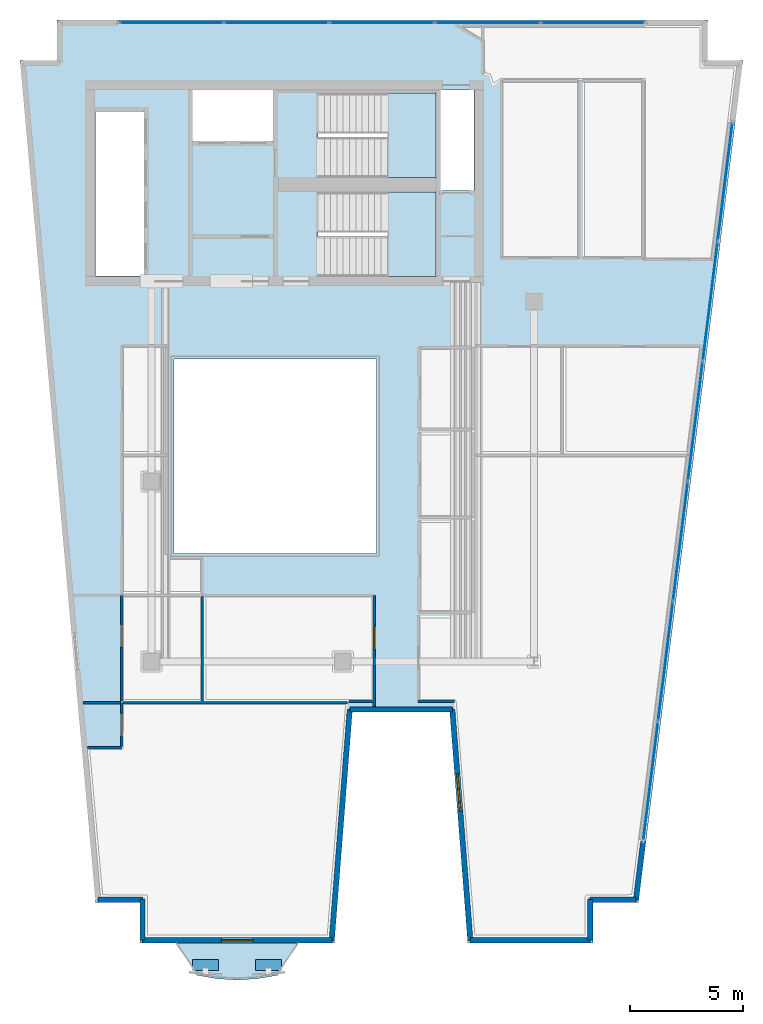
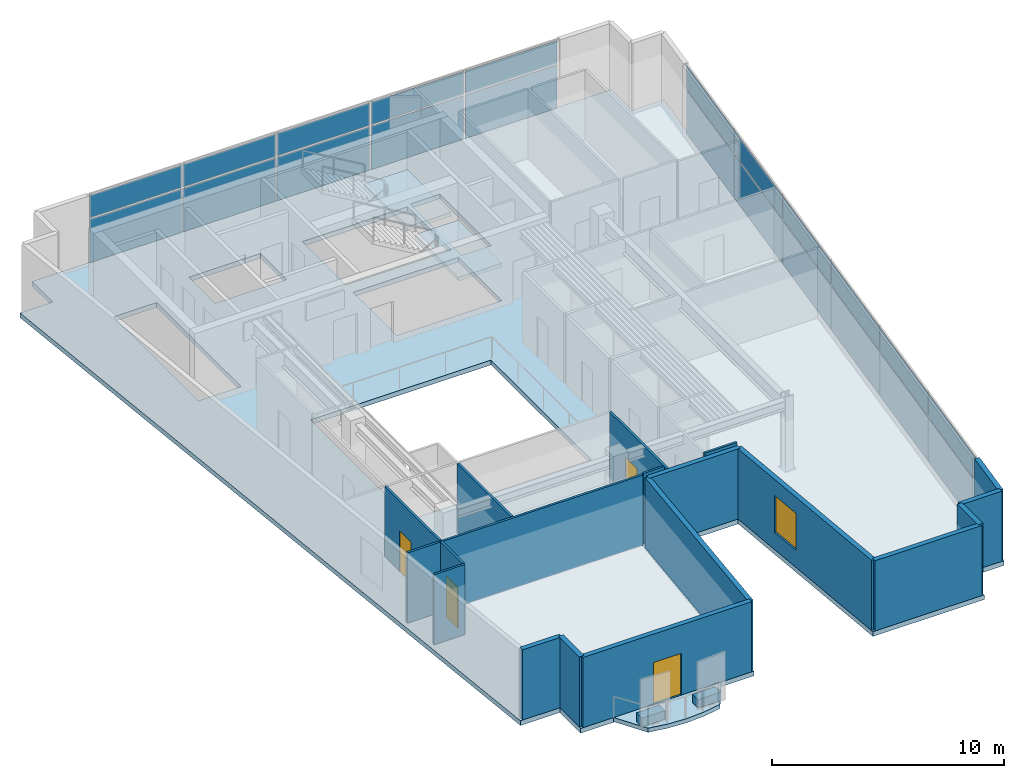
# One storey, part 3 of 8: 24 plates, 19 walls, 4 doors, 4 slabs, 1 window, 5 openings, 4 elements without a shape of their own.
"""IFC4 building model written with IfcOpenShell, lengths in metres."""

from ifc_helpers import new_model, si_unit, direction, frame, frame_2d, origin, origin_2d, place, context, subcontext, project, spatial, polyline, rectangle, outline, extrude, material, layer, layer_set, type_object, element, fill, aggregate, save


model = new_model("IFC4")

# Units and contexts
model_context = context("Model", 3, precision=1e-05, world=origin(), true_north=direction((0.0, 1.0)))
body_context = subcontext(model_context, "Body", "Model", "MODEL_VIEW")
ifc_project = project(units=[si_unit("LENGTHUNIT", "METRE"), si_unit("AREAUNIT", "SQUARE_METRE"), si_unit("VOLUMEUNIT", "CUBIC_METRE"), si_unit("PLANEANGLEUNIT", "RADIAN"), si_unit("MASSUNIT", "GRAM", prefix="KILO")], contexts=[model_context])

# Site, building, storey
site_placement = place(None, origin())
site = spatial("IfcSite", under=ifc_project, at=site_placement, CompositionType="ELEMENT")
building_placement = place(site_placement, origin())
building = spatial("IfcBuilding", under=site, at=building_placement, Name="Caeloran Harvest Quay", CompositionType="ELEMENT")
storey_placement = place(building_placement, frame((0.0, 0.0, 272.5)))
storey = spatial("IfcBuildingStorey", under=building, at=storey_placement, Name="L65", CompositionType="ELEMENT", Elevation=272.5)

# Slab
ifc_material_1 = material(Name="Concrete C50/60", Category="concrete")
ifc_layer_1 = layer(ifc_material_1, 0.219970703125, Name="Concrete C50/60")
ifc_layer_set_1 = layer_set([ifc_layer_1], Name="Concrete C50/60")
slab_type_1 = type_object("IfcSlabType", Name="BALCONY-BL-220", PredefinedType="FLOOR", material=ifc_layer_set_1)
slab_1_placement = place(storey_placement, frame((0.0, 0.0, -0.219970703125)))
element("IfcSlab", 1, at=slab_1_placement, inside=storey, type_object=slab_type_1, Name="L65 Scalloped Cantilevered Planted Balcony Slab", PredefinedType="FLOOR", context=body_context, shape_type="SweptSolid", body=[
    extrude(outline(polyline([(14.103515625, 1.060546875), (13.20654296875, 0.906982421875), (12.3095703125, 0.85107421875), (11.41259765625, 0.906982421875), (10.515380859375, 1.060546875), (9.630859375, 2.5), (14.98828125, 2.5), (14.103515625, 1.060546875)])), origin(), (0.0, 0.0, 1.0), 0.219970703125),
])

# Curtain wall, plates
ifc_material_2 = material(Name="Aluminium 6063-T6 and Low-E Glazing", Category="aluminium")
ifc_layer_2 = layer(ifc_material_2, 0.219970703125, Name="Aluminium 6063-T6 and Low-E Glazing")
ifc_layer_set_2 = layer_set([ifc_layer_2], Name="Aluminium 6063-T6 and Low-E Glazing")
curtain_wall_type = type_object("IfcCurtainWallType", Name="CW-SYS-CW-5", PredefinedType="USERDEFINED", material=ifc_layer_set_2)
curtain_wall_1_placement = place(storey_placement, origin())
curtain_wall_1 = element("IfcCurtainWall", 2, at=curtain_wall_1_placement, inside=storey, type_object=curtain_wall_type, Name="L65 Unitised Curtain Wall CW-5 Run 6", ObjectType="CURTAIN_WALL", PredefinedType="USERDEFINED")
ifc_material_3 = material(Name="Low-E Double Glazed Vision Glass Unit", Category="glass")
ifc_layer_3 = layer(ifc_material_3, 0.035888671875, Name="Low-E Double Glazed Vision Glass Unit")
ifc_layer_set_3 = layer_set([ifc_layer_3], Name="Low-E Double Glazed Vision Glass Unit")
plate_type_1 = type_object("IfcPlateType", Name="CW-VISION-PANEL", PredefinedType="CURTAIN_PANEL", material=ifc_layer_set_3)
plate_1_placement = place(storey_placement, frame((9.385986328125, 43.3798828125, 0.080078125), z_axis=(0.0, 0.0, 1.0), x_axis=(1.0, 0.0, 0.0)))
plate_1 = element("IfcPlate", 3, at=plate_1_placement, type_object=plate_type_1, Name="CW-5 panel 1.1", PredefinedType="CURTAIN_PANEL", context=body_context, shape_type="SweptSolid", body=[
    extrude(rectangle(XDim=4.572021484375, YDim=0.035888671875, at=origin_2d()), origin(), (0.0, 0.0, 1.0), 2.280029296875),
])
plate_2_placement = place(storey_placement, frame((9.385986328125, 43.3798828125, 2.43994140625), z_axis=(0.0, 0.0, 1.0), x_axis=(1.0, 0.0, 0.0)))
plate_2 = element("IfcPlate", 4, at=plate_2_placement, type_object=plate_type_1, Name="CW-5 panel 1.2", PredefinedType="CURTAIN_PANEL", context=body_context, shape_type="SweptSolid", body=[
    extrude(rectangle(XDim=4.572021484375, YDim=0.035888671875, at=origin_2d()), origin(), (0.0, 0.0, 1.0), 1.179931640625),
])
plate_3_placement = place(storey_placement, frame((14.05810546875, 43.3798828125, 0.080078125), z_axis=(0.0, 0.0, 1.0), x_axis=(1.0, 0.0, 0.0)))
plate_3 = element("IfcPlate", 5, at=plate_3_placement, type_object=plate_type_1, Name="CW-5 panel 2.1", PredefinedType="CURTAIN_PANEL", context=body_context, shape_type="SweptSolid", body=[
    extrude(rectangle(XDim=4.612060546875, YDim=0.035888671875, at=origin_2d()), origin(), (0.0, 0.0, 1.0), 2.280029296875),
])
plate_4_placement = place(storey_placement, frame((14.05810546875, 43.3798828125, 2.43994140625), z_axis=(0.0, 0.0, 1.0), x_axis=(1.0, 0.0, 0.0)))
plate_4 = element("IfcPlate", 6, at=plate_4_placement, type_object=plate_type_1, Name="CW-5 panel 2.2", PredefinedType="CURTAIN_PANEL", context=body_context, shape_type="SweptSolid", body=[
    extrude(rectangle(XDim=4.612060546875, YDim=0.035888671875, at=origin_2d()), origin(), (0.0, 0.0, 1.0), 1.179931640625),
])
plate_5_placement = place(storey_placement, frame((18.75, 43.3798828125, 0.080078125), z_axis=(0.0, 0.0, 1.0), x_axis=(1.0, 0.0, 0.0)))
plate_5 = element("IfcPlate", 7, at=plate_5_placement, type_object=plate_type_1, Name="CW-5 panel 3.1", PredefinedType="CURTAIN_PANEL", context=body_context, shape_type="SweptSolid", body=[
    extrude(rectangle(XDim=4.612060546875, YDim=0.035888671875, at=origin_2d()), origin(), (0.0, 0.0, 1.0), 2.280029296875),
])
plate_6_placement = place(storey_placement, frame((18.75, 43.3798828125, 2.43994140625), z_axis=(0.0, 0.0, 1.0), x_axis=(1.0, 0.0, 0.0)))
plate_6 = element("IfcPlate", 8, at=plate_6_placement, type_object=plate_type_1, Name="CW-5 panel 3.2", PredefinedType="CURTAIN_PANEL", context=body_context, shape_type="SweptSolid", body=[
    extrude(rectangle(XDim=4.612060546875, YDim=0.035888671875, at=origin_2d()), origin(), (0.0, 0.0, 1.0), 1.179931640625),
])
plate_7_placement = place(storey_placement, frame((23.44189453125, 43.3798828125, 0.080078125), z_axis=(0.0, 0.0, 1.0), x_axis=(1.0, 0.0, 0.0)))
plate_7 = element("IfcPlate", 9, at=plate_7_placement, type_object=plate_type_1, Name="CW-5 panel 4.1", PredefinedType="CURTAIN_PANEL", context=body_context, shape_type="SweptSolid", body=[
    extrude(rectangle(XDim=4.612060546875, YDim=0.035888671875, at=origin_2d()), origin(), (0.0, 0.0, 1.0), 2.280029296875),
])
plate_8_placement = place(storey_placement, frame((23.44189453125, 43.3798828125, 2.43994140625), z_axis=(0.0, 0.0, 1.0), x_axis=(1.0, 0.0, 0.0)))
plate_8 = element("IfcPlate", 10, at=plate_8_placement, type_object=plate_type_1, Name="CW-5 panel 4.2", PredefinedType="CURTAIN_PANEL", context=body_context, shape_type="SweptSolid", body=[
    extrude(rectangle(XDim=4.612060546875, YDim=0.035888671875, at=origin_2d()), origin(), (0.0, 0.0, 1.0), 1.179931640625),
])
plate_9_placement = place(storey_placement, frame((28.114013671875, 43.3798828125, 0.080078125), z_axis=(0.0, 0.0, 1.0), x_axis=(1.0, 0.0, 0.0)))
plate_9 = element("IfcPlate", 11, at=plate_9_placement, type_object=plate_type_1, Name="CW-5 panel 5.1", PredefinedType="CURTAIN_PANEL", context=body_context, shape_type="SweptSolid", body=[
    extrude(rectangle(XDim=4.572021484375, YDim=0.035888671875, at=origin_2d()), origin(), (0.0, 0.0, 1.0), 2.280029296875),
])
plate_10_placement = place(storey_placement, frame((28.114013671875, 43.3798828125, 2.43994140625), z_axis=(0.0, 0.0, 1.0), x_axis=(1.0, 0.0, 0.0)))
plate_10 = element("IfcPlate", 12, at=plate_10_placement, type_object=plate_type_1, Name="CW-5 panel 5.2", PredefinedType="CURTAIN_PANEL", context=body_context, shape_type="SweptSolid", body=[
    extrude(rectangle(XDim=4.572021484375, YDim=0.035888671875, at=origin_2d()), origin(), (0.0, 0.0, 1.0), 1.179931640625),
])
aggregate(curtain_wall_1, [plate_1, plate_2, plate_3, plate_4, plate_5, plate_6, plate_7, plate_8, plate_9, plate_10])

curtain_wall_2_placement = place(storey_placement, origin())
curtain_wall_2 = element("IfcCurtainWall", 13, at=curtain_wall_2_placement, inside=storey, type_object=curtain_wall_type, Name="L65 Unitised Curtain Wall CW-5 Run 9", ObjectType="CURTAIN_WALL", PredefinedType="USERDEFINED")
plate_11_placement = place(storey_placement, frame((33.987060546875, 36.313232421875, 0.080078125), z_axis=(0.0, 0.0, 1.0), x_axis=(-0.123190390176, -0.992383054958, 0.0)))
plate_11 = element("IfcPlate", 14, at=plate_11_placement, type_object=plate_type_1, Name="CW-5 panel 1.1", PredefinedType="CURTAIN_PANEL", context=body_context, shape_type="SweptSolid", body=[
    extrude(rectangle(XDim=5.254150390625, YDim=0.035888671875, at=origin_2d()), origin(), (0.0, 0.0, 1.0), 2.280029296875),
])
plate_12_placement = place(storey_placement, frame((33.987060546875, 36.313232421875, 2.43994140625), z_axis=(0.0, 0.0, 1.0), x_axis=(-0.123190390176, -0.992383054958, 0.0)))
plate_12 = element("IfcPlate", 15, at=plate_12_placement, type_object=plate_type_1, Name="CW-5 panel 1.2", PredefinedType="CURTAIN_PANEL", context=body_context, shape_type="SweptSolid", body=[
    extrude(rectangle(XDim=5.254150390625, YDim=0.035888671875, at=origin_2d()), origin(), (0.0, 0.0, 1.0), 1.179931640625),
])
plate_13_placement = place(storey_placement, frame((33.327392578125, 31.0, 0.080078125), z_axis=(0.0, 0.0, 1.0), x_axis=(-0.123190390176, -0.992383054958, 0.0)))
plate_13 = element("IfcPlate", 16, at=plate_13_placement, type_object=plate_type_1, Name="CW-5 panel 2.1", PredefinedType="CURTAIN_PANEL", context=body_context, shape_type="SweptSolid", body=[
    extrude(rectangle(XDim=5.294189453125, YDim=0.035888671875, at=origin_2d()), origin(), (0.0, 0.0, 1.0), 2.280029296875),
])
plate_14_placement = place(storey_placement, frame((33.327392578125, 31.0, 2.43994140625), z_axis=(0.0, 0.0, 1.0), x_axis=(-0.123190390176, -0.992383054958, 0.0)))
plate_14 = element("IfcPlate", 17, at=plate_14_placement, type_object=plate_type_1, Name="CW-5 panel 2.2", PredefinedType="CURTAIN_PANEL", context=body_context, shape_type="SweptSolid", body=[
    extrude(rectangle(XDim=5.294189453125, YDim=0.035888671875, at=origin_2d()), origin(), (0.0, 0.0, 1.0), 1.179931640625),
])
plate_15_placement = place(storey_placement, frame((32.665283203125, 25.666748046875, 0.080078125), z_axis=(0.0, 0.0, 1.0), x_axis=(-0.123190390176, -0.992383054958, 0.0)))
plate_15 = element("IfcPlate", 18, at=plate_15_placement, type_object=plate_type_1, Name="CW-5 panel 3.1", PredefinedType="CURTAIN_PANEL", context=body_context, shape_type="SweptSolid", body=[
    extrude(rectangle(XDim=5.294189453125, YDim=0.035888671875, at=origin_2d()), origin(), (0.0, 0.0, 1.0), 2.280029296875),
])
plate_16_placement = place(storey_placement, frame((32.665283203125, 25.666748046875, 2.43994140625), z_axis=(0.0, 0.0, 1.0), x_axis=(-0.123190390176, -0.992383054958, 0.0)))
plate_16 = element("IfcPlate", 19, at=plate_16_placement, type_object=plate_type_1, Name="CW-5 panel 3.2", PredefinedType="CURTAIN_PANEL", context=body_context, shape_type="SweptSolid", body=[
    extrude(rectangle(XDim=5.294189453125, YDim=0.035888671875, at=origin_2d()), origin(), (0.0, 0.0, 1.0), 1.179931640625),
])
plate_17_placement = place(storey_placement, frame((32.00341796875, 20.333251953125, 0.080078125), z_axis=(0.0, 0.0, 1.0), x_axis=(-0.123190390176, -0.992383054958, 0.0)))
plate_17 = element("IfcPlate", 20, at=plate_17_placement, type_object=plate_type_1, Name="CW-5 panel 4.1", PredefinedType="CURTAIN_PANEL", context=body_context, shape_type="SweptSolid", body=[
    extrude(rectangle(XDim=5.294189453125, YDim=0.035888671875, at=origin_2d()), origin(), (0.0, 0.0, 1.0), 2.280029296875),
])
plate_18_placement = place(storey_placement, frame((32.00341796875, 20.333251953125, 2.43994140625), z_axis=(0.0, 0.0, 1.0), x_axis=(-0.123190390176, -0.992383054958, 0.0)))
plate_18 = element("IfcPlate", 21, at=plate_18_placement, type_object=plate_type_1, Name="CW-5 panel 4.2", PredefinedType="CURTAIN_PANEL", context=body_context, shape_type="SweptSolid", body=[
    extrude(rectangle(XDim=5.294189453125, YDim=0.035888671875, at=origin_2d()), origin(), (0.0, 0.0, 1.0), 1.179931640625),
])
plate_19_placement = place(storey_placement, frame((31.34130859375, 15.0, 0.080078125), z_axis=(0.0, 0.0, 1.0), x_axis=(-0.123190390176, -0.992383054958, 0.0)))
plate_19 = element("IfcPlate", 22, at=plate_19_placement, type_object=plate_type_1, Name="CW-5 panel 5.1", PredefinedType="CURTAIN_PANEL", context=body_context, shape_type="SweptSolid", body=[
    extrude(rectangle(XDim=5.294189453125, YDim=0.035888671875, at=origin_2d()), origin(), (0.0, 0.0, 1.0), 2.280029296875),
])
plate_20_placement = place(storey_placement, frame((31.34130859375, 15.0, 2.43994140625), z_axis=(0.0, 0.0, 1.0), x_axis=(-0.123190390176, -0.992383054958, 0.0)))
plate_20 = element("IfcPlate", 23, at=plate_20_placement, type_object=plate_type_1, Name="CW-5 panel 5.2", PredefinedType="CURTAIN_PANEL", context=body_context, shape_type="SweptSolid", body=[
    extrude(rectangle(XDim=5.294189453125, YDim=0.035888671875, at=origin_2d()), origin(), (0.0, 0.0, 1.0), 1.179931640625),
])
plate_21_placement = place(storey_placement, frame((30.681640625, 9.686767578125, 0.080078125), z_axis=(0.0, 0.0, 1.0), x_axis=(-0.123190390176, -0.992383054958, 0.0)))
plate_21 = element("IfcPlate", 24, at=plate_21_placement, type_object=plate_type_1, Name="CW-5 panel 6.1", PredefinedType="CURTAIN_PANEL", context=body_context, shape_type="SweptSolid", body=[
    extrude(rectangle(XDim=5.254150390625, YDim=0.035888671875, at=origin_2d()), origin(), (0.0, 0.0, 1.0), 2.280029296875),
])
plate_22_placement = place(storey_placement, frame((30.681640625, 9.686767578125, 2.43994140625), z_axis=(0.0, 0.0, 1.0), x_axis=(-0.123190390176, -0.992383054958, 0.0)))
plate_22 = element("IfcPlate", 25, at=plate_22_placement, type_object=plate_type_1, Name="CW-5 panel 6.2", PredefinedType="CURTAIN_PANEL", context=body_context, shape_type="SweptSolid", body=[
    extrude(rectangle(XDim=5.254150390625, YDim=0.035888671875, at=origin_2d()), origin(), (0.0, 0.0, 1.0), 1.179931640625),
])
aggregate(curtain_wall_2, [plate_11, plate_12, plate_13, plate_14, plate_15, plate_16, plate_17, plate_18, plate_19, plate_20, plate_21, plate_22])

# Plates
ifc_material_4 = material(Name="Precast concrete C50/60", Category="concrete")
ifc_layer_4 = layer(ifc_material_4, 0.449951171875, Name="Precast concrete C50/60")
ifc_layer_set_4 = layer_set([ifc_layer_4], Name="Precast concrete C50/60")
plate_type_2 = type_object("IfcPlateType", Name="PLANTER-TROUGH-450", PredefinedType="USERDEFINED", material=ifc_layer_set_4)
for number, where, z_axis, x_axis, name in (
    (26, (13.708740234375, 1.523193359375, 0.0), (0.0, 0.0, 1.0), (1.0, 0.0, 0.0), "L65 Balcony Vertical-Greenery Precast PLANTER Trough 1"),
    (27, (10.91015625, 1.523193359375, 0.0), (0.0, 0.0, 1.0), (1.0, 0.0, 0.0), "L65 Balcony Vertical-Greenery Precast PLANTER Trough 2"),
):
    element("IfcPlate", number, at=place(storey_placement, frame(where, z_axis=z_axis, x_axis=x_axis)), inside=storey, type_object=plate_type_2, Name=name, ObjectType="PLANTER", PredefinedType="USERDEFINED", context=body_context, shape_type="SweptSolid", body=[
        extrude(rectangle(XDim=1.14990234375, YDim=0.47998046875, at=origin_2d()), origin(), (0.0, 0.0, 1.0), 0.449951171875),
    ])

# Slab
ifc_layer_5 = layer(ifc_material_1, 0.25, Name="Concrete C50/60")
ifc_layer_set_5 = layer_set([ifc_layer_5], Name="Concrete C50/60")
slab_type_2 = type_object("IfcSlabType", Name="SLAB-FS-250", PredefinedType="FLOOR", material=ifc_layer_set_5)
slab_2_placement = place(storey_placement, frame((0.0, 0.0, -0.25)))
element("IfcSlab", 28, at=slab_2_placement, inside=storey, type_object=slab_type_2, Name="L65 Structural Floor Slab", PredefinedType="FLOOR", context=body_context, shape_type="SweptSolid", body=[
    extrude(outline(polyline([(7.985595703125, 2.5), (16.62451171875, 2.5), (17.424560546875, 12.75), (21.755615234375, 12.75), (22.5556640625, 2.5), (28.110595703125, 2.5), (28.110595703125, 4.300048828125), (30.1337890625, 4.300048828125), (34.776611328125, 41.699951171875), (33.199951171875, 41.699951171875), (33.199951171875, 43.5), (4.300048828125, 43.5), (4.300048828125, 41.699951171875), (2.661865234375, 41.699951171875), (6.023681640625, 4.300048828125), (7.985595703125, 4.300048828125), (7.985595703125, 2.5)]), holes=[polyline([(18.5, 28.449951171875), (18.5, 19.800048828125), (9.5, 19.800048828125), (9.5, 28.449951171875), (18.5, 28.449951171875)]), polyline([(15.89990234375, 32.10009765625), (15.89990234375, 35.85009765625), (21.14990234375, 35.85009765625), (21.14990234375, 32.10009765625), (15.89990234375, 32.10009765625)]), polyline([(8.159912109375, 32.1201171875), (6.02001953125, 32.1201171875), (6.02001953125, 39.419921875), (8.159912109375, 39.419921875), (8.159912109375, 32.1201171875)]), polyline([(22.830078125, 40.3798828125), (22.830078125, 35.919921875), (21.35009765625, 35.919921875), (21.35009765625, 40.3798828125), (22.830078125, 40.3798828125)]), polyline([(15.89990234375, 36.5), (15.89990234375, 40.25), (21.14990234375, 40.25), (21.14990234375, 36.5), (15.89990234375, 36.5)]), polyline([(13.89990234375, 38.1201171875), (10.320068359375, 38.1201171875), (10.320068359375, 40.3798828125), (13.89990234375, 40.3798828125), (13.89990234375, 38.1201171875)])]), origin(), (0.0, 0.0, 1.0), 0.25),
])

# Stair, slab
stair_type = type_object("IfcStairType", Name="STAIR-STC-180", PredefinedType="HALF_TURN_STAIR", material=ifc_material_1)
stair_1_placement = place(storey_placement, origin())
stair_1 = element("IfcStair", 29, at=stair_1_placement, inside=storey, type_object=stair_type, Name="L65 Core Pressurized Exit Stair ST-C1", PredefinedType="HALF_TURN_STAIR")
ifc_layer_6 = layer(ifc_material_1, 0.219970703125, Name="Concrete C50/60")
ifc_layer_set_6 = layer_set([ifc_layer_6], Name="Concrete C50/60")
slab_type_3 = type_object("IfcSlabType", Name="STAIR-LANDING-220", PredefinedType="LANDING", material=ifc_layer_set_6)
slab_3_placement = place(storey_placement, frame((0.0, 0.0, 1.77490234375)))
slab_3 = element("IfcSlab", 30, at=slab_3_placement, type_object=slab_type_3, Name="ST-C1 landing 1", PredefinedType="LANDING", context=body_context, shape_type="SweptSolid", body=[
    extrude(outline(polyline([(18.97998046875, 36.5), (21.14990234375, 36.5), (21.14990234375, 40.25), (18.97998046875, 40.25), (18.97998046875, 36.5)])), origin(), (0.0, 0.0, 1.0), 0.2001953125),
])
aggregate(stair_1, [slab_3])

stair_2_placement = place(storey_placement, origin())
stair_2 = element("IfcStair", 31, at=stair_2_placement, inside=storey, type_object=stair_type, Name="L65 Core Pressurized Exit Stair ST-C2", PredefinedType="HALF_TURN_STAIR")
slab_4_placement = place(storey_placement, frame((0.0, 0.0, 1.77490234375)))
slab_4 = element("IfcSlab", 32, at=slab_4_placement, type_object=slab_type_3, Name="ST-C2 landing 1", PredefinedType="LANDING", context=body_context, shape_type="SweptSolid", body=[
    extrude(outline(polyline([(18.97998046875, 32.10009765625), (21.14990234375, 32.10009765625), (21.14990234375, 35.85009765625), (18.97998046875, 35.85009765625), (18.97998046875, 32.10009765625)])), origin(), (0.0, 0.0, 1.0), 0.2001953125),
])
aggregate(stair_2, [slab_4])

# Walls
ifc_layer_7 = layer(ifc_material_4, 0.239990234375, Name="Precast concrete C50/60")
ifc_layer_set_7 = layer_set([ifc_layer_7], Name="Precast concrete C50/60")
wall_type_1 = type_object("IfcWallType", Name="ENV-WALL-EW-240", PredefinedType="STANDARD", material=ifc_layer_set_7)
wall_1_placement = place(storey_placement, frame((8.10546875, 2.6201171875, 0.0), z_axis=(0.0, 0.0, 1.0), x_axis=(0.0, 1.0, 0.0)))
element("IfcWall", 33, at=wall_1_placement, inside=storey, type_object=wall_type_1, Name="L65 Exterior Precast Concrete Facade Wall 1", PredefinedType="STANDARD", context=body_context, shape_type="SweptSolid", body=[
    extrude(rectangle(XDim=1.7998046875, YDim=0.239990234375, at=frame_2d((0.89990234375, 0.0))), origin(), (0.0, 0.0, 1.0), 3.699951171875),
])
wall_2_placement = place(storey_placement, frame((8.10546875, 4.419921875, 0.0), z_axis=(0.0, 0.0, 1.0), x_axis=(-1.0, 0.0, 0.0)))
element("IfcWall", 34, at=wall_2_placement, inside=storey, type_object=wall_type_1, Name="L65 Exterior Precast Concrete Facade Wall 2", PredefinedType="STANDARD", context=body_context, shape_type="SweptSolid", body=[
    extrude(rectangle(XDim=1.97216796875, YDim=0.239990234375, at=frame_2d((0.986083984375, 0.0))), origin(), (0.0, 0.0, 1.0), 3.699951171875),
])
wall_3_placement = place(storey_placement, frame((30.34814453125, 7.000244140625, 0.0), z_axis=(0.0, 0.0, 1.0), x_axis=(-0.123191073593, -0.992382970121, 0.0)))
element("IfcWall", 35, at=wall_3_placement, inside=storey, type_object=wall_type_1, Name="L65 Exterior Facade Corner Pier Wall 9B", PredefinedType="STANDARD", context=body_context, shape_type="SweptSolid", body=[
    extrude(rectangle(XDim=2.60009765625, YDim=0.239990234375, at=frame_2d((1.300048828125, 0.0))), origin(), (0.0, 0.0, 1.0), 3.699951171875),
])
wall_4_placement = place(storey_placement, frame((30.02783203125, 4.419921875, 0.0), z_axis=(0.0, 0.0, 1.0), x_axis=(-1.0, 0.0, 0.0)))
element("IfcWall", 36, at=wall_4_placement, inside=storey, type_object=wall_type_1, Name="L65 Exterior Precast Concrete Facade Wall 10", PredefinedType="STANDARD", context=body_context, shape_type="SweptSolid", body=[
    extrude(rectangle(XDim=2.037353515625, YDim=0.239990234375, at=frame_2d((1.0185546875, 0.0))), origin(), (0.0, 0.0, 1.0), 3.699951171875),
])
wall_5_placement = place(storey_placement, frame((27.990478515625, 4.419921875, 0.0), z_axis=(0.0, 0.0, 1.0), x_axis=(0.0, -1.0, 0.0)))
element("IfcWall", 37, at=wall_5_placement, inside=storey, type_object=wall_type_1, Name="L65 Exterior Precast Concrete Facade Wall 11", PredefinedType="STANDARD", context=body_context, shape_type="SweptSolid", body=[
    extrude(rectangle(XDim=1.7998046875, YDim=0.239990234375, at=frame_2d((0.89990234375, 0.0))), origin(), (0.0, 0.0, 1.0), 3.699951171875),
])
wall_6_placement = place(storey_placement, frame((27.990478515625, 2.6201171875, 0.0), z_axis=(0.0, 0.0, 1.0), x_axis=(-1.0, 0.0, 0.0)))
element("IfcWall", 38, at=wall_6_placement, inside=storey, type_object=wall_type_1, Name="L65 Exterior Precast Concrete Facade Wall 12", PredefinedType="STANDARD", context=body_context, shape_type="SweptSolid", body=[
    extrude(rectangle(XDim=5.32373046875, YDim=0.239990234375, at=frame_2d((2.661865234375, 0.0))), origin(), (0.0, 0.0, 1.0), 3.699951171875),
])

# Wall, opening, window
wall_7_placement = place(storey_placement, frame((22.666748046875, 2.6201171875, 0.0), z_axis=(0.0, 0.0, 1.0), x_axis=(-0.077816860153, 0.996967670627, 0.0)))
wall_7 = element("IfcWall", 39, at=wall_7_placement, inside=storey, type_object=wall_type_1, Name="L65 Exterior Precast Concrete Facade Wall 13", PredefinedType="STANDARD", context=body_context, shape_type="SweptSolid", body=[
    extrude(rectangle(XDim=10.28125, YDim=0.239990234375, at=frame_2d((5.140625, 0.0))), origin(), (0.0, 0.0, 1.0), 3.699951171875),
])
opening_1_placement = place(wall_7_placement, frame((5.7548828125, 0.0, 0.89990234375)))
opening_1 = element("IfcOpeningElement", 40, at=opening_1_placement, cuts=wall_7, Name="Opening W-08", PredefinedType="OPENING", context=body_context, shape_type="SweptSolid", body=[
    extrude(rectangle(XDim=1.64990234375, YDim=1.949951171875, at=frame_2d((0.824951171875, 0.97509765625))), frame((0.0, 0.1298828125, 0.0), z_axis=(0.0, -1.0, 0.0), x_axis=(1.0, 0.0, 0.0)), (0.0, 0.0, 1.0), 0.260009765625),
])
ifc_material_5 = material(Name="Aluminium-Framed Low-E Laminated Glass", Category="aluminium")
window_type = type_object("IfcWindowType", Name="WIN-W-08", PartitioningType="SINGLE_PANEL", PredefinedType="WINDOW", material=ifc_material_5)
window_placement = place(opening_1_placement, origin())
window = element("IfcWindow", 41, at=window_placement, inside=storey, type_object=window_type, Name="L65 Facade Punched Window W-08", OverallHeight=1.949951171875, OverallWidth=1.64990234375, PartitioningType="SINGLE_PANEL", PredefinedType="WINDOW", context=body_context, shape_type="SweptSolid", body=[
    extrude(rectangle(XDim=1.64990234375, YDim=1.949951171875, at=frame_2d((0.824951171875, 0.97509765625))), frame((0.0, 0.030029296875, 0.0), z_axis=(0.0, -1.0, 0.0), x_axis=(1.0, 0.0, 0.0)), (0.0, 0.0, 1.0), 0.06005859375),
])
fill(opening_1, window)

# Walls
wall_8_placement = place(storey_placement, frame((21.86669921875, 12.8701171875, 0.0), z_axis=(0.0, 0.0, 1.0), x_axis=(-1.0, 0.0, 0.0)))
element("IfcWall", 42, at=wall_8_placement, inside=storey, type_object=wall_type_1, Name="L65 Exterior Precast Concrete Facade Wall 14", PredefinedType="STANDARD", context=body_context, shape_type="SweptSolid", body=[
    extrude(rectangle(XDim=4.55322265625, YDim=0.239990234375, at=frame_2d((2.276611328125, 0.0))), origin(), (0.0, 0.0, 1.0), 3.699951171875),
])
wall_9_placement = place(storey_placement, frame((17.3134765625, 12.8701171875, 0.0), z_axis=(0.0, 0.0, 1.0), x_axis=(-0.077816860153, -0.996967670627, 0.0)))
element("IfcWall", 43, at=wall_9_placement, inside=storey, type_object=wall_type_1, Name="L65 Exterior Precast Concrete Facade Wall 15", PredefinedType="STANDARD", context=body_context, shape_type="SweptSolid", body=[
    extrude(rectangle(XDim=10.28125, YDim=0.239990234375, at=frame_2d((5.140625, 0.0))), origin(), (0.0, 0.0, 1.0), 3.699951171875),
])

# Wall, opening, door
wall_10_placement = place(storey_placement, frame((16.513427734375, 2.6201171875, 0.0), z_axis=(0.0, 0.0, 1.0), x_axis=(-1.0, 0.0, 0.0)))
wall_10 = element("IfcWall", 44, at=wall_10_placement, inside=storey, type_object=wall_type_1, Name="L65 Exterior Precast Concrete Facade Wall 16", PredefinedType="STANDARD", context=body_context, shape_type="SweptSolid", body=[
    extrude(rectangle(XDim=8.407958984375, YDim=0.239990234375, at=frame_2d((4.2041015625, 0.0))), origin(), (0.0, 0.0, 1.0), 3.699951171875),
])
opening_2_placement = place(wall_10_placement, frame((3.50390625, 0.0, 0.0)))
opening_2 = element("IfcOpeningElement", 45, at=opening_2_placement, cuts=wall_10, Name="Opening BD-02", PredefinedType="OPENING", context=body_context, shape_type="SweptSolid", body=[
    extrude(rectangle(XDim=1.39990234375, YDim=2.199951171875, at=frame_2d((0.699951171875, 1.10009765625))), frame((0.0, 0.1298828125, 0.0), z_axis=(0.0, -1.0, 0.0), x_axis=(1.0, 0.0, 0.0)), (0.0, 0.0, 1.0), 0.260009765625),
])
ifc_material_6 = material(Name="Thermally Broken Powder-Coated Aluminium and Safety Glass", Category="aluminium")
door_type_1 = type_object("IfcDoorType", Name="EXTDOOR-BD-02", OperationType="NOTDEFINED", PredefinedType="DOOR", material=ifc_material_6)
door_1_placement = place(opening_2_placement, origin())
door_1 = element("IfcDoor", 46, at=door_1_placement, inside=storey, type_object=door_type_1, Name="L65 Planted Balcony Glazed Access Door", OperationType="SINGLE_SWING_RIGHT", OverallHeight=2.199951171875, OverallWidth=1.39990234375, PredefinedType="DOOR", context=body_context, shape_type="SweptSolid", body=[
    extrude(rectangle(XDim=1.39990234375, YDim=2.199951171875, at=frame_2d((0.699951171875, 1.10009765625))), frame((0.0, 0.02490234375, 0.0), z_axis=(0.0, -1.0, 0.0), x_axis=(1.0, 0.0, 0.0)), (0.0, 0.0, 1.0), 0.050048828125),
])
fill(opening_2, door_1)

# Wall
ifc_material_7 = material(Name="Single-Stud Acoustic Gypsum Office Partition", Category="gypsum")
ifc_layer_8 = layer(ifc_material_7, 0.112060546875, Name="Single-Stud Acoustic Gypsum Office Partition")
ifc_layer_set_8 = layer_set([ifc_layer_8], Name="Single-Stud Acoustic Gypsum Office Partition")
wall_type_2 = type_object("IfcWallType", Name="INT-WALL-PW-112", PredefinedType="PARTITIONING", material=ifc_layer_set_8)
wall_11_placement = place(storey_placement, frame((5.652099609375, 11.169921875, 0.0), z_axis=(0.0, 0.0, 1.0), x_axis=(1.0, 0.0, 0.0)))
element("IfcWall", 47, at=wall_11_placement, inside=storey, type_object=wall_type_2, Name="Climate Diplomacy Seminar Hall Partition Wall", PredefinedType="PARTITIONING", context=body_context, shape_type="SweptSolid", body=[
    extrude(rectangle(XDim=1.52783203125, YDim=0.112060546875, at=frame_2d((0.763916015625, 0.0))), origin(), (0.0, 0.0, 1.0), 3.699951171875),
])

# Wall, opening, door
wall_12_placement = place(storey_placement, frame((7.179931640625, 11.23095703125, 0.0), z_axis=(0.0, 0.0, 1.0), x_axis=(0.0, 1.0, 0.0)))
wall_12 = element("IfcWall", 48, at=wall_12_placement, inside=storey, type_object=wall_type_2, Name="Climate Diplomacy Seminar Hall Partition Wall", PredefinedType="PARTITIONING", context=body_context, shape_type="SweptSolid", body=[
    extrude(rectangle(XDim=1.928955078125, YDim=0.112060546875, at=frame_2d((0.96435546875, 0.0))), origin(), (0.0, 0.0, 1.0), 3.699951171875),
])
opening_3_placement = place(wall_12_placement, frame((0.464599609375, 0.0, 0.0)))
opening_3 = element("IfcOpeningElement", 49, at=opening_3_placement, cuts=wall_12, Name="Opening ID-01", PredefinedType="OPENING", context=body_context, shape_type="SweptSolid", body=[
    extrude(rectangle(XDim=1.0, YDim=2.14990234375, at=frame_2d((0.5, 1.074951171875))), frame((0.0, 0.06591796875, 0.0), z_axis=(0.0, -1.0, 0.0), x_axis=(1.0, 0.0, 0.0)), (0.0, 0.0, 1.0), 0.132080078125),
])
ifc_material_8 = material(Name="FSC Solid-Core Ash Timber and Acoustic Seal", Category="wood")
door_type_2 = type_object("IfcDoorType", Name="INTDOOR-ID-01", OperationType="NOTDEFINED", PredefinedType="DOOR", material=ifc_material_8)
door_2_placement = place(opening_3_placement, origin())
door_2 = element("IfcDoor", 50, at=door_2_placement, inside=storey, type_object=door_type_2, Name="Climate Diplomacy Seminar Hall Access Door", OperationType="SINGLE_SWING_RIGHT", OverallHeight=2.14990234375, OverallWidth=1.0, PredefinedType="DOOR", context=body_context, shape_type="SweptSolid", body=[
    extrude(rectangle(XDim=1.0, YDim=2.14990234375, at=frame_2d((0.5, 1.074951171875))), frame((0.0, 0.02490234375, 0.0), z_axis=(0.0, -1.0, 0.0), x_axis=(1.0, 0.0, 0.0)), (0.0, 0.0, 1.0), 0.050048828125),
])
fill(opening_3, door_2)

# Walls
wall_13_placement = place(storey_placement, frame((5.473388671875, 13.159912109375, 0.0), z_axis=(0.0, 0.0, 1.0), x_axis=(1.0, 0.0, 0.0)))
element("IfcWall", 51, at=wall_13_placement, inside=storey, type_object=wall_type_2, Name="Climate Diplomacy Seminar Hall Partition Wall", PredefinedType="PARTITIONING", context=body_context, shape_type="SweptSolid", body=[
    extrude(rectangle(XDim=1.6455078125, YDim=0.112060546875, at=frame_2d((0.82275390625, 0.0))), origin(), (0.0, 0.0, 1.0), 3.699951171875),
])
wall_14_placement = place(storey_placement, frame((7.240966796875, 13.159912109375, 0.0), z_axis=(0.0, 0.0, 1.0), x_axis=(1.0, 0.0, 0.0)))
element("IfcWall", 52, at=wall_14_placement, inside=storey, type_object=wall_type_2, Name="Climate Diplomacy Seminar Hall Partition Wall", PredefinedType="PARTITIONING", context=body_context, shape_type="SweptSolid", body=[
    extrude(rectangle(XDim=9.97509765625, YDim=0.112060546875, at=frame_2d((4.987548828125, 0.0))), origin(), (0.0, 0.0, 1.0), 3.699951171875),
])
wall_15_placement = place(storey_placement, frame((21.9580078125, 13.239990234375, 0.0), z_axis=(0.0, 0.0, 1.0), x_axis=(-1.0, 0.0, 0.0)))
element("IfcWall", 53, at=wall_15_placement, inside=storey, type_object=wall_type_2, Name="International Policy Conference Room Partition Wall", PredefinedType="PARTITIONING", context=body_context, shape_type="SweptSolid", body=[
    extrude(rectangle(XDim=1.60791015625, YDim=0.112060546875, at=frame_2d((0.803955078125, 0.0))), origin(), (0.0, 0.0, 1.0), 3.699951171875),
])

# Wall, opening, door
wall_16_placement = place(storey_placement, frame((7.179931640625, 13.239990234375, 0.0), z_axis=(0.0, 0.0, 1.0), x_axis=(0.0, 1.0, 0.0)))
wall_16 = element("IfcWall", 54, at=wall_16_placement, inside=storey, type_object=wall_type_2, Name="Translation Briefing Room Partition Wall", PredefinedType="PARTITIONING", context=body_context, shape_type="SweptSolid", body=[
    extrude(rectangle(XDim=4.699951171875, YDim=0.112060546875, at=frame_2d((2.35009765625, 0.0))), origin(), (0.0, 0.0, 1.0), 3.699951171875),
])
opening_4_placement = place(wall_16_placement, frame((2.403564453125, 0.0, 0.0)))
opening_4 = element("IfcOpeningElement", 55, at=opening_4_placement, cuts=wall_16, Name="Opening ID-01", PredefinedType="OPENING", context=body_context, shape_type="SweptSolid", body=[
    extrude(rectangle(XDim=1.0, YDim=2.14990234375, at=frame_2d((0.5, 1.074951171875))), frame((0.0, 0.06591796875, 0.0), z_axis=(0.0, -1.0, 0.0), x_axis=(1.0, 0.0, 0.0)), (0.0, 0.0, 1.0), 0.132080078125),
])
door_3_placement = place(opening_4_placement, origin())
door_3 = element("IfcDoor", 56, at=door_3_placement, inside=storey, type_object=door_type_2, Name="Translation Briefing Room Access Door", OperationType="SINGLE_SWING_RIGHT", OverallHeight=2.14990234375, OverallWidth=1.0, PredefinedType="DOOR", context=body_context, shape_type="SweptSolid", body=[
    extrude(rectangle(XDim=1.0, YDim=2.14990234375, at=frame_2d((0.5, 1.074951171875))), frame((0.0, 0.02490234375, 0.0), z_axis=(0.0, -1.0, 0.0), x_axis=(1.0, 0.0, 0.0)), (0.0, 0.0, 1.0), 0.050048828125),
])
fill(opening_4, door_3)

# Wall
wall_17_placement = place(storey_placement, frame((10.760009765625, 17.87890625, 0.0), z_axis=(0.0, 0.0, 1.0), x_axis=(0.0, -1.0, 0.0)))
element("IfcWall", 57, at=wall_17_placement, inside=storey, type_object=wall_type_2, Name="Translation Briefing Room Partition Wall", PredefinedType="PARTITIONING", context=body_context, shape_type="SweptSolid", body=[
    extrude(rectangle(XDim=4.638916015625, YDim=0.112060546875, at=frame_2d((2.3193359375, 0.0))), origin(), (0.0, 0.0, 1.0), 3.699951171875),
])

# Wall, opening, door
wall_18_placement = place(storey_placement, frame((18.389892578125, 17.93994140625, 0.0), z_axis=(0.0, 0.0, 1.0), x_axis=(0.0, -1.0, 0.0)))
wall_18 = element("IfcWall", 58, at=wall_18_placement, inside=storey, type_object=wall_type_2, Name="Treaty Archive Library Room Partition Wall", PredefinedType="PARTITIONING", context=body_context, shape_type="SweptSolid", body=[
    extrude(rectangle(XDim=4.94482421875, YDim=0.112060546875, at=frame_2d((2.472412109375, 0.0))), origin(), (0.0, 0.0, 1.0), 3.699951171875),
])
opening_5_placement = place(wall_18_placement, frame((1.379638671875, 0.0, 0.0)))
opening_5 = element("IfcOpeningElement", 59, at=opening_5_placement, cuts=wall_18, Name="Opening ID-01", PredefinedType="OPENING", context=body_context, shape_type="SweptSolid", body=[
    extrude(rectangle(XDim=1.0, YDim=2.14990234375, at=frame_2d((0.5, 1.074951171875))), frame((0.0, 0.06591796875, 0.0), z_axis=(0.0, -1.0, 0.0), x_axis=(1.0, 0.0, 0.0)), (0.0, 0.0, 1.0), 0.132080078125),
])
door_4_placement = place(opening_5_placement, origin())
door_4 = element("IfcDoor", 60, at=door_4_placement, inside=storey, type_object=door_type_2, Name="Treaty Archive Library Room Access Door", OperationType="SINGLE_SWING_RIGHT", OverallHeight=2.14990234375, OverallWidth=1.0, PredefinedType="DOOR", context=body_context, shape_type="SweptSolid", body=[
    extrude(rectangle(XDim=1.0, YDim=2.14990234375, at=frame_2d((0.5, 1.074951171875))), frame((0.0, 0.02490234375, 0.0), z_axis=(0.0, -1.0, 0.0), x_axis=(1.0, 0.0, 0.0)), (0.0, 0.0, 1.0), 0.050048828125),
])
fill(opening_5, door_4)

# Wall
wall_19_placement = place(storey_placement, frame((18.3291015625, 13.239990234375, 0.0), z_axis=(0.0, 0.0, 1.0), x_axis=(-1.0, 0.0, 0.0)))
element("IfcWall", 61, at=wall_19_placement, inside=storey, type_object=wall_type_2, Name="Treaty Archive Library Room Partition Wall", PredefinedType="PARTITIONING", context=body_context, shape_type="SweptSolid", body=[
    extrude(rectangle(XDim=1.049560546875, YDim=0.112060546875, at=frame_2d((0.52490234375, 0.0))), origin(), (0.0, 0.0, 1.0), 3.699951171875),
])

save(model, "model.ifc")
